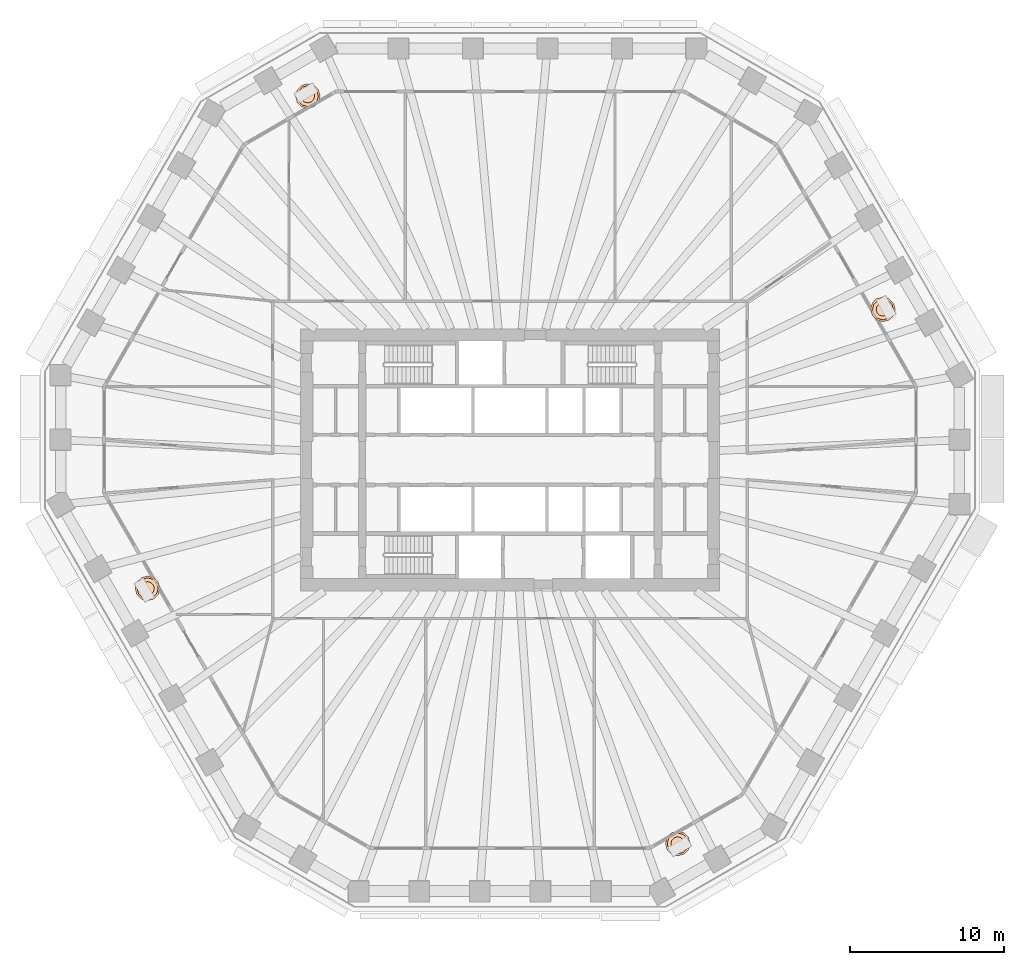
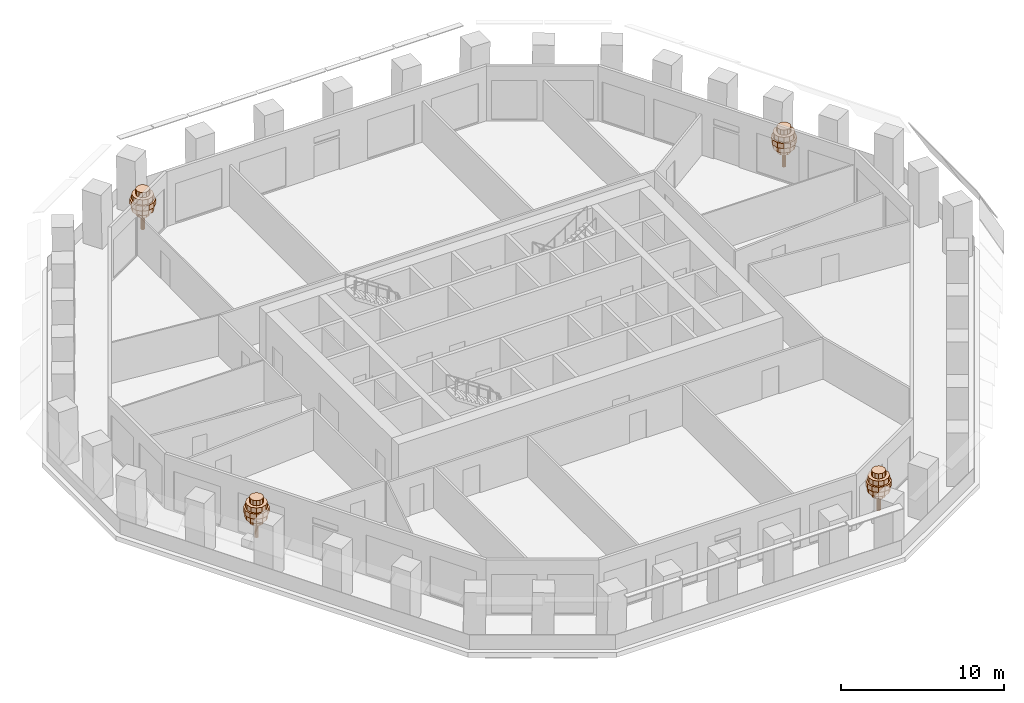
# One storey, part 12 of 12: 4 geographic elements.
"""IFC4 building model written with IfcOpenShell, lengths in metres."""

from ifc_helpers import new_model, si_unit, direction, frame, origin, place, context, subcontext, project, spatial, polyline, outline, extrude, material, type_object, element, save


model = new_model("IFC4")

# Units and contexts
model_context = context("Model", 3, precision=1e-05, world=origin(), true_north=direction((0.0, 1.0)))
body_context = subcontext(model_context, "Body", "Model", "MODEL_VIEW")
ifc_project = project(units=[si_unit("LENGTHUNIT", "METRE"), si_unit("AREAUNIT", "SQUARE_METRE"), si_unit("VOLUMEUNIT", "CUBIC_METRE"), si_unit("PLANEANGLEUNIT", "RADIAN"), si_unit("MASSUNIT", "GRAM", prefix="KILO")], contexts=[model_context])

# Site, building, storey
site_placement = place(None, origin())
site = spatial("IfcSite", under=ifc_project, at=site_placement, CompositionType="ELEMENT")
building_placement = place(site_placement, origin())
building = spatial("IfcBuilding", under=site, at=building_placement, Name="Frailejon Research Tower", CompositionType="ELEMENT")
storey_placement = place(building_placement, frame((0.0, 0.0, 122.0)))
storey = spatial("IfcBuildingStorey", under=building, at=storey_placement, Name="L26", CompositionType="ELEMENT", Elevation=122.0)

# Geographic elements
ifc_material = material(Name="Foliage, green")
geographic_element_type = type_object("IfcGeographicElementType", Name="Frailejon tree, loggia", PredefinedType="USERDEFINED", material=ifc_material)
geographic_element_1_placement = place(storey_placement, frame((24.2041015625, 9.76708984375, 0.60009765625)))
element("IfcGeographicElement", 1, at=geographic_element_1_placement, inside=storey, type_object=geographic_element_type, Name="Tree L26", ObjectType="TREE", PredefinedType="USERDEFINED", context=body_context, shape_type="SweptSolid", body=[
    extrude(outline(polyline([(0.1298828125, 0.0), (0.112548828125, 0.06494140625), (0.06494140625, 0.112548828125), (0.0, 0.1298828125), (-0.06494140625, 0.112548828125), (-0.112548828125, 0.06494140625), (-0.1298828125, 0.0), (-0.112548828125, -0.06494140625), (-0.06494140625, -0.112548828125), (0.0, -0.1298828125), (0.06494140625, -0.112548828125), (0.112548828125, -0.06494140625), (0.1298828125, 0.0)])), origin(), (0.0, 0.0, 1.0), 2.239990234375),
    extrude(outline(polyline([(0.43994140625, 0.0), (0.381103515625, 0.219970703125), (0.219970703125, 0.381103515625), (0.0, 0.43994140625), (-0.219970703125, 0.381103515625), (-0.381103515625, 0.219970703125), (-0.43994140625, 0.0), (-0.381103515625, -0.219970703125), (-0.219970703125, -0.381103515625), (0.0, -0.43994140625), (0.219970703125, -0.381103515625), (0.381103515625, -0.219970703125), (0.43994140625, 0.0)])), frame((0.0, 0.0, 1.10009765625)), (0.0, 0.0, 1.0), 0.3798828125),
    extrude(outline(polyline([(0.719970703125, 0.0), (0.62353515625, 0.360107421875), (0.360107421875, 0.62353515625), (0.0, 0.719970703125), (-0.360107421875, 0.62353515625), (-0.62353515625, 0.360107421875), (-0.719970703125, 0.0), (-0.62353515625, -0.360107421875), (-0.360107421875, -0.62353515625), (0.0, -0.719970703125), (0.360107421875, -0.62353515625), (0.62353515625, -0.360107421875), (0.719970703125, 0.0)])), frame((0.0, 0.0, 1.47998046875)), (0.0, 0.0, 1.0), 0.3798828125),
    extrude(outline(polyline([(0.800048828125, 0.0), (0.69287109375, 0.39990234375), (0.39990234375, 0.69287109375), (0.0, 0.800048828125), (-0.39990234375, 0.69287109375), (-0.69287109375, 0.39990234375), (-0.800048828125, 0.0), (-0.69287109375, -0.39990234375), (-0.39990234375, -0.69287109375), (0.0, -0.800048828125), (0.39990234375, -0.69287109375), (0.69287109375, -0.39990234375), (0.800048828125, 0.0)])), frame((0.0, 0.0, 1.860107421875)), (0.0, 0.0, 1.0), 0.3798828125),
    extrude(outline(polyline([(0.679931640625, 0.0), (0.5888671875, 0.340087890625), (0.340087890625, 0.5888671875), (0.0, 0.679931640625), (-0.340087890625, 0.5888671875), (-0.5888671875, 0.340087890625), (-0.679931640625, 0.0), (-0.5888671875, -0.340087890625), (-0.340087890625, -0.5888671875), (0.0, -0.679931640625), (0.340087890625, -0.5888671875), (0.5888671875, -0.340087890625), (0.679931640625, 0.0)])), frame((0.0, 0.0, 2.239990234375)), (0.0, 0.0, 1.0), 0.3798828125),
    extrude(outline(polyline([(0.43994140625, 0.0), (0.381103515625, 0.219970703125), (0.219970703125, 0.381103515625), (0.0, 0.43994140625), (-0.219970703125, 0.381103515625), (-0.381103515625, 0.219970703125), (-0.43994140625, 0.0), (-0.381103515625, -0.219970703125), (-0.219970703125, -0.381103515625), (0.0, -0.43994140625), (0.219970703125, -0.381103515625), (0.381103515625, -0.219970703125), (0.43994140625, 0.0)])), frame((0.0, 0.0, 2.6201171875)), (0.0, 0.0, 1.0), 0.3798828125),
])
geographic_element_2_placement = place(storey_placement, frame((-13.12646484375, 23.6103515625, 0.60009765625)))
element("IfcGeographicElement", 2, at=geographic_element_2_placement, inside=storey, type_object=geographic_element_type, Name="Tree L26", ObjectType="TREE", PredefinedType="USERDEFINED", context=body_context, shape_type="SweptSolid", body=[
    extrude(outline(polyline([(0.1298828125, 0.0), (0.112548828125, 0.06494140625), (0.06494140625, 0.112548828125), (0.0, 0.1298828125), (-0.06494140625, 0.112548828125), (-0.112548828125, 0.06494140625), (-0.1298828125, 0.0), (-0.112548828125, -0.06494140625), (-0.06494140625, -0.112548828125), (0.0, -0.1298828125), (0.06494140625, -0.112548828125), (0.112548828125, -0.06494140625), (0.1298828125, 0.0)])), origin(), (0.0, 0.0, 1.0), 2.239990234375),
    extrude(outline(polyline([(0.43994140625, 0.0), (0.381103515625, 0.219970703125), (0.219970703125, 0.381103515625), (0.0, 0.43994140625), (-0.219970703125, 0.381103515625), (-0.381103515625, 0.219970703125), (-0.43994140625, 0.0), (-0.381103515625, -0.219970703125), (-0.219970703125, -0.381103515625), (0.0, -0.43994140625), (0.219970703125, -0.381103515625), (0.381103515625, -0.219970703125), (0.43994140625, 0.0)])), frame((0.0, 0.0, 1.10009765625)), (0.0, 0.0, 1.0), 0.3798828125),
    extrude(outline(polyline([(0.719970703125, 0.0), (0.62353515625, 0.360107421875), (0.360107421875, 0.62353515625), (0.0, 0.719970703125), (-0.360107421875, 0.62353515625), (-0.62353515625, 0.360107421875), (-0.719970703125, 0.0), (-0.62353515625, -0.360107421875), (-0.360107421875, -0.62353515625), (0.0, -0.719970703125), (0.360107421875, -0.62353515625), (0.62353515625, -0.360107421875), (0.719970703125, 0.0)])), frame((0.0, 0.0, 1.47998046875)), (0.0, 0.0, 1.0), 0.3798828125),
    extrude(outline(polyline([(0.800048828125, 0.0), (0.69287109375, 0.39990234375), (0.39990234375, 0.69287109375), (0.0, 0.800048828125), (-0.39990234375, 0.69287109375), (-0.69287109375, 0.39990234375), (-0.800048828125, 0.0), (-0.69287109375, -0.39990234375), (-0.39990234375, -0.69287109375), (0.0, -0.800048828125), (0.39990234375, -0.69287109375), (0.69287109375, -0.39990234375), (0.800048828125, 0.0)])), frame((0.0, 0.0, 1.860107421875)), (0.0, 0.0, 1.0), 0.3798828125),
    extrude(outline(polyline([(0.679931640625, 0.0), (0.5888671875, 0.340087890625), (0.340087890625, 0.5888671875), (0.0, 0.679931640625), (-0.340087890625, 0.5888671875), (-0.5888671875, 0.340087890625), (-0.679931640625, 0.0), (-0.5888671875, -0.340087890625), (-0.340087890625, -0.5888671875), (0.0, -0.679931640625), (0.340087890625, -0.5888671875), (0.5888671875, -0.340087890625), (0.679931640625, 0.0)])), frame((0.0, 0.0, 2.239990234375)), (0.0, 0.0, 1.0), 0.3798828125),
    extrude(outline(polyline([(0.43994140625, 0.0), (0.381103515625, 0.219970703125), (0.219970703125, 0.381103515625), (0.0, 0.43994140625), (-0.219970703125, 0.381103515625), (-0.381103515625, 0.219970703125), (-0.43994140625, 0.0), (-0.381103515625, -0.219970703125), (-0.219970703125, -0.381103515625), (0.0, -0.43994140625), (0.219970703125, -0.381103515625), (0.381103515625, -0.219970703125), (0.43994140625, 0.0)])), frame((0.0, 0.0, 2.6201171875)), (0.0, 0.0, 1.0), 0.3798828125),
])
geographic_element_3_placement = place(storey_placement, frame((-23.53125, -8.3427734375, 0.60009765625)))
element("IfcGeographicElement", 3, at=geographic_element_3_placement, inside=storey, type_object=geographic_element_type, Name="Tree L26", ObjectType="TREE", PredefinedType="USERDEFINED", context=body_context, shape_type="SweptSolid", body=[
    extrude(outline(polyline([(0.1298828125, 0.0), (0.112548828125, 0.06494140625), (0.06494140625, 0.112548828125), (0.0, 0.1298828125), (-0.06494140625, 0.112548828125), (-0.112548828125, 0.06494140625), (-0.1298828125, 0.0), (-0.112548828125, -0.06494140625), (-0.06494140625, -0.112548828125), (0.0, -0.1298828125), (0.06494140625, -0.112548828125), (0.112548828125, -0.06494140625), (0.1298828125, 0.0)])), origin(), (0.0, 0.0, 1.0), 2.239990234375),
    extrude(outline(polyline([(0.43994140625, 0.0), (0.381103515625, 0.219970703125), (0.219970703125, 0.381103515625), (0.0, 0.43994140625), (-0.219970703125, 0.381103515625), (-0.381103515625, 0.219970703125), (-0.43994140625, 0.0), (-0.381103515625, -0.219970703125), (-0.219970703125, -0.381103515625), (0.0, -0.43994140625), (0.219970703125, -0.381103515625), (0.381103515625, -0.219970703125), (0.43994140625, 0.0)])), frame((0.0, 0.0, 1.10009765625)), (0.0, 0.0, 1.0), 0.3798828125),
    extrude(outline(polyline([(0.719970703125, 0.0), (0.62353515625, 0.360107421875), (0.360107421875, 0.62353515625), (0.0, 0.719970703125), (-0.360107421875, 0.62353515625), (-0.62353515625, 0.360107421875), (-0.719970703125, 0.0), (-0.62353515625, -0.360107421875), (-0.360107421875, -0.62353515625), (0.0, -0.719970703125), (0.360107421875, -0.62353515625), (0.62353515625, -0.360107421875), (0.719970703125, 0.0)])), frame((0.0, 0.0, 1.47998046875)), (0.0, 0.0, 1.0), 0.3798828125),
    extrude(outline(polyline([(0.800048828125, 0.0), (0.69287109375, 0.39990234375), (0.39990234375, 0.69287109375), (0.0, 0.800048828125), (-0.39990234375, 0.69287109375), (-0.69287109375, 0.39990234375), (-0.800048828125, 0.0), (-0.69287109375, -0.39990234375), (-0.39990234375, -0.69287109375), (0.0, -0.800048828125), (0.39990234375, -0.69287109375), (0.69287109375, -0.39990234375), (0.800048828125, 0.0)])), frame((0.0, 0.0, 1.860107421875)), (0.0, 0.0, 1.0), 0.3798828125),
    extrude(outline(polyline([(0.679931640625, 0.0), (0.5888671875, 0.340087890625), (0.340087890625, 0.5888671875), (0.0, 0.679931640625), (-0.340087890625, 0.5888671875), (-0.5888671875, 0.340087890625), (-0.679931640625, 0.0), (-0.5888671875, -0.340087890625), (-0.340087890625, -0.5888671875), (0.0, -0.679931640625), (0.340087890625, -0.5888671875), (0.5888671875, -0.340087890625), (0.679931640625, 0.0)])), frame((0.0, 0.0, 2.239990234375)), (0.0, 0.0, 1.0), 0.3798828125),
    extrude(outline(polyline([(0.43994140625, 0.0), (0.381103515625, 0.219970703125), (0.219970703125, 0.381103515625), (0.0, 0.43994140625), (-0.219970703125, 0.381103515625), (-0.381103515625, 0.219970703125), (-0.43994140625, 0.0), (-0.381103515625, -0.219970703125), (-0.219970703125, -0.381103515625), (0.0, -0.43994140625), (0.219970703125, -0.381103515625), (0.381103515625, -0.219970703125), (0.43994140625, 0.0)])), frame((0.0, 0.0, 2.6201171875)), (0.0, 0.0, 1.0), 0.3798828125),
])
geographic_element_4_placement = place(storey_placement, frame((10.8837890625, -24.905029296875, 0.60009765625)))
element("IfcGeographicElement", 4, at=geographic_element_4_placement, inside=storey, type_object=geographic_element_type, Name="Tree L26", ObjectType="TREE", PredefinedType="USERDEFINED", context=body_context, shape_type="SweptSolid", body=[
    extrude(outline(polyline([(0.1298828125, 0.0), (0.112548828125, 0.06494140625), (0.06494140625, 0.112548828125), (0.0, 0.1298828125), (-0.06494140625, 0.112548828125), (-0.112548828125, 0.06494140625), (-0.1298828125, 0.0), (-0.112548828125, -0.06494140625), (-0.06494140625, -0.112548828125), (0.0, -0.1298828125), (0.06494140625, -0.112548828125), (0.112548828125, -0.06494140625), (0.1298828125, 0.0)])), origin(), (0.0, 0.0, 1.0), 2.239990234375),
    extrude(outline(polyline([(0.43994140625, 0.0), (0.381103515625, 0.219970703125), (0.219970703125, 0.381103515625), (0.0, 0.43994140625), (-0.219970703125, 0.381103515625), (-0.381103515625, 0.219970703125), (-0.43994140625, 0.0), (-0.381103515625, -0.219970703125), (-0.219970703125, -0.381103515625), (0.0, -0.43994140625), (0.219970703125, -0.381103515625), (0.381103515625, -0.219970703125), (0.43994140625, 0.0)])), frame((0.0, 0.0, 1.10009765625)), (0.0, 0.0, 1.0), 0.3798828125),
    extrude(outline(polyline([(0.719970703125, 0.0), (0.62353515625, 0.360107421875), (0.360107421875, 0.62353515625), (0.0, 0.719970703125), (-0.360107421875, 0.62353515625), (-0.62353515625, 0.360107421875), (-0.719970703125, 0.0), (-0.62353515625, -0.360107421875), (-0.360107421875, -0.62353515625), (0.0, -0.719970703125), (0.360107421875, -0.62353515625), (0.62353515625, -0.360107421875), (0.719970703125, 0.0)])), frame((0.0, 0.0, 1.47998046875)), (0.0, 0.0, 1.0), 0.3798828125),
    extrude(outline(polyline([(0.800048828125, 0.0), (0.69287109375, 0.39990234375), (0.39990234375, 0.69287109375), (0.0, 0.800048828125), (-0.39990234375, 0.69287109375), (-0.69287109375, 0.39990234375), (-0.800048828125, 0.0), (-0.69287109375, -0.39990234375), (-0.39990234375, -0.69287109375), (0.0, -0.800048828125), (0.39990234375, -0.69287109375), (0.69287109375, -0.39990234375), (0.800048828125, 0.0)])), frame((0.0, 0.0, 1.860107421875)), (0.0, 0.0, 1.0), 0.3798828125),
    extrude(outline(polyline([(0.679931640625, 0.0), (0.5888671875, 0.340087890625), (0.340087890625, 0.5888671875), (0.0, 0.679931640625), (-0.340087890625, 0.5888671875), (-0.5888671875, 0.340087890625), (-0.679931640625, 0.0), (-0.5888671875, -0.340087890625), (-0.340087890625, -0.5888671875), (0.0, -0.679931640625), (0.340087890625, -0.5888671875), (0.5888671875, -0.340087890625), (0.679931640625, 0.0)])), frame((0.0, 0.0, 2.239990234375)), (0.0, 0.0, 1.0), 0.3798828125),
    extrude(outline(polyline([(0.43994140625, 0.0), (0.381103515625, 0.219970703125), (0.219970703125, 0.381103515625), (0.0, 0.43994140625), (-0.219970703125, 0.381103515625), (-0.381103515625, 0.219970703125), (-0.43994140625, 0.0), (-0.381103515625, -0.219970703125), (-0.219970703125, -0.381103515625), (0.0, -0.43994140625), (0.219970703125, -0.381103515625), (0.381103515625, -0.219970703125), (0.43994140625, 0.0)])), frame((0.0, 0.0, 2.6201171875)), (0.0, 0.0, 1.0), 0.3798828125),
])

save(model, "model.ifc")
